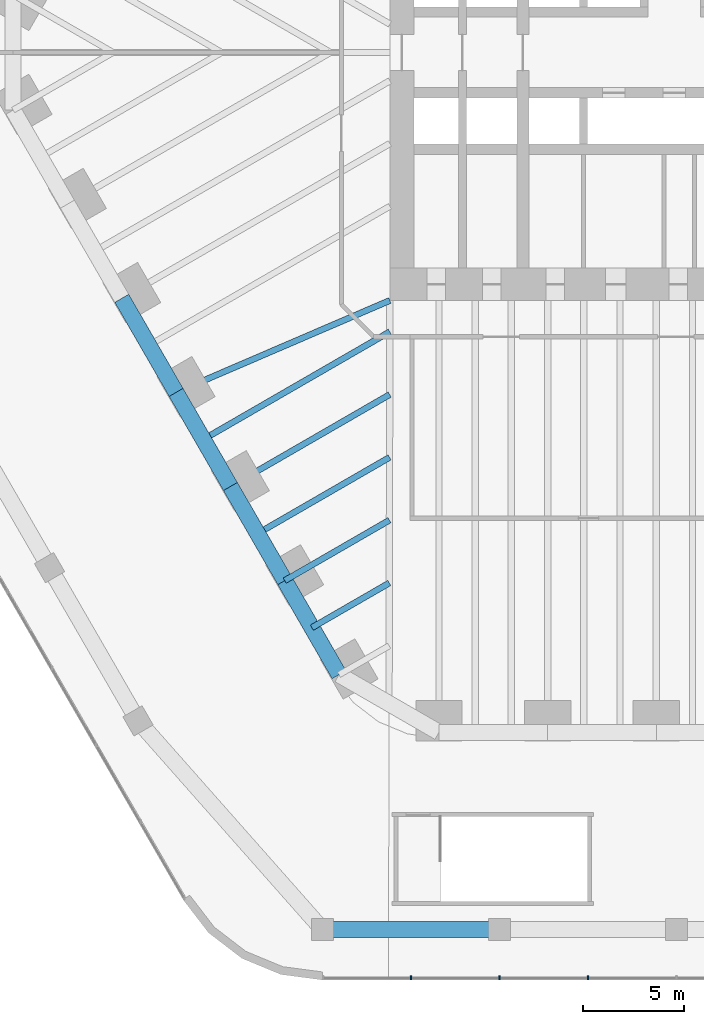
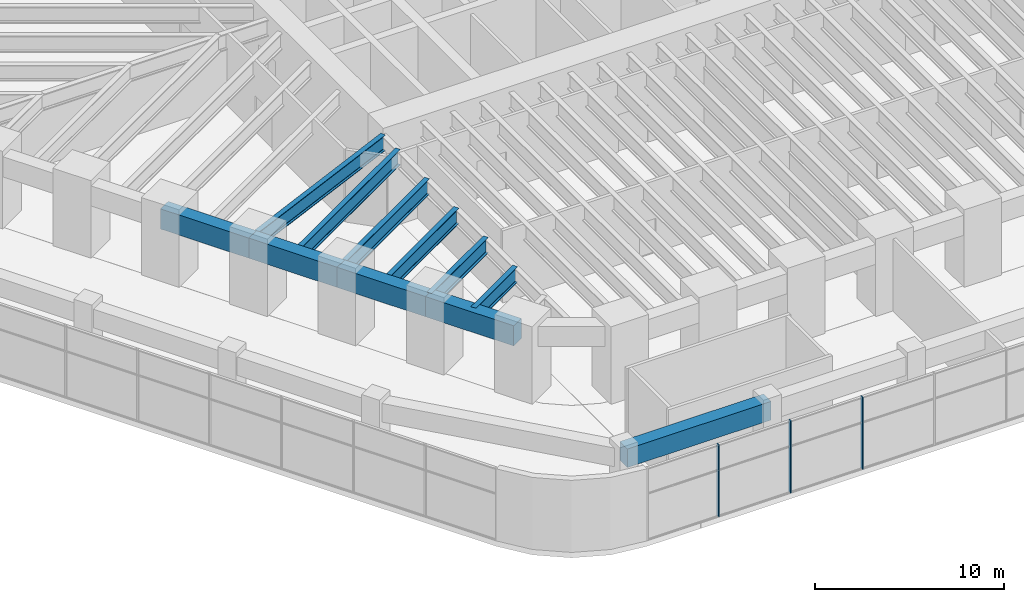
# One storey, part 4 of 31: 11 beams, 3 members, 1 element without a shape of its own.
"""IFC4 building model written with IfcOpenShell, lengths in metres."""

from ifc_helpers import new_model, si_unit, direction, frame, origin, origin_2d, place, context, subcontext, project, spatial, rectangle, i_section, extrude, material, material_profile, profile_set, type_object, element, aggregate, save


model = new_model("IFC4")

# Units and contexts
model_context = context("Model", 3, precision=1e-05, world=origin(), true_north=direction((0.0, 1.0)))
body_context = subcontext(model_context, "Body", "Model", "MODEL_VIEW")
ifc_project = project(units=[si_unit("LENGTHUNIT", "METRE"), si_unit("AREAUNIT", "SQUARE_METRE"), si_unit("VOLUMEUNIT", "CUBIC_METRE"), si_unit("PLANEANGLEUNIT", "RADIAN"), si_unit("MASSUNIT", "GRAM", prefix="KILO")], contexts=[model_context])

# Site, building, storey
site_placement = place(None, origin())
site = spatial("IfcSite", under=ifc_project, at=site_placement, CompositionType="ELEMENT")
building_placement = place(site_placement, origin())
building = spatial("IfcBuilding", under=site, at=building_placement, Name="Tarfa Lantern Tower", CompositionType="ELEMENT")
storey_placement = place(building_placement, frame((0.0, 0.0, 18.5)))
storey = spatial("IfcBuildingStorey", under=building, at=storey_placement, Name="L03", CompositionType="ELEMENT", Elevation=18.5)

# Curtain wall, members
ifc_material_1 = material(Name="Aluminium framed curtain wall", Category="aluminium")
curtain_wall_type = type_object("IfcCurtainWallType", Name="CW7 PODIUM GLAZING 4650", PredefinedType="USERDEFINED", material=ifc_material_1)
curtain_wall_placement = place(storey_placement, origin())
curtain_wall = element("IfcCurtainWall", 1, at=curtain_wall_placement, inside=storey, type_object=curtain_wall_type, Name="CW7 S L03", ObjectType="CURTAIN WALL", PredefinedType="USERDEFINED")
ifc_material_2 = material(Name="Aluminium mullion", Category="aluminium")
ifc_material_profile_1 = material_profile(ifc_material_2, rectangle(XDim=0.06494140625, YDim=0.199951171875, at=origin_2d()), Name="AL MULLION 65x200")
ifc_profile_set_1 = profile_set([ifc_material_profile_1], Name="Aluminium mullion")
member_type = type_object("IfcMemberType", Name="CWM1 MULLION 65x200", PredefinedType="MULLION", material=ifc_profile_set_1)
member_1_placement = place(storey_placement, frame((-17.551513671875, -45.89990234375, 0.0), z_axis=(0.0, 0.0, 1.0), x_axis=(1.0, 0.0, 0.0)))
member_1 = element("IfcMember", 2, at=member_1_placement, type_object=member_type, Name="CW7 mullion 2", PredefinedType="MULLION", context=body_context, shape_type="SweptSolid", body=[
    extrude(rectangle(XDim=0.06494140625, YDim=0.199951171875, at=origin_2d()), origin(), (0.0, 0.0, 1.0), 4.64990234375),
])
member_2_placement = place(storey_placement, frame((-13.16357421875, -45.89990234375, 0.0), z_axis=(0.0, 0.0, 1.0), x_axis=(1.0, 0.0, 0.0)))
member_2 = element("IfcMember", 3, at=member_2_placement, type_object=member_type, Name="CW7 mullion 3", PredefinedType="MULLION", context=body_context, shape_type="SweptSolid", body=[
    extrude(rectangle(XDim=0.06494140625, YDim=0.199951171875, at=origin_2d()), origin(), (0.0, 0.0, 1.0), 4.64990234375),
])
member_3_placement = place(storey_placement, frame((-8.775634765625, -45.89990234375, 0.0), z_axis=(0.0, 0.0, 1.0), x_axis=(1.0, 0.0, 0.0)))
member_3 = element("IfcMember", 4, at=member_3_placement, type_object=member_type, Name="CW7 mullion 4", PredefinedType="MULLION", context=body_context, shape_type="SweptSolid", body=[
    extrude(rectangle(XDim=0.06494140625, YDim=0.199951171875, at=origin_2d()), origin(), (0.0, 0.0, 1.0), 4.64990234375),
])
aggregate(curtain_wall, [member_1, member_2, member_3])

# Beams
ifc_material_3 = material(Name="Concrete C80/95", Category="concrete")
ifc_material_profile_2 = material_profile(ifc_material_3, rectangle(XDim=0.800048828125, YDim=1.300048828125, at=origin_2d()), Name="RC 800x1300")
ifc_profile_set_2 = profile_set([ifc_material_profile_2], Name="Concrete C80/95")
beam_type_1 = type_object("IfcBeamType", Name="EB1 RC 800x1300", PredefinedType="SPANDREL", material=ifc_profile_set_2)
beam_1_placement = place(storey_placement, frame((-31.896728515625, -12.193359375, 4.0), z_axis=(0.499998287579, -0.866026392449, 0.0), x_axis=(0.866026392449, 0.499998287579, 0.0)))
element("IfcBeam", 5, at=beam_1_placement, inside=storey, type_object=beam_type_1, Name="Edge beam SW2", PredefinedType="SPANDREL", context=body_context, shape_type="SweptSolid", body=[
    extrude(rectangle(XDim=0.800048828125, YDim=1.300048828125, at=origin_2d()), origin(), (0.0, 0.0, 1.0), 5.388671875),
])
beam_2_placement = place(storey_placement, frame((-29.202392578125, -16.860107421875, 4.0), z_axis=(0.500017906299, -0.866015065331, 0.0), x_axis=(0.866015065331, 0.500017906299, 0.0)))
element("IfcBeam", 6, at=beam_2_placement, inside=storey, type_object=beam_type_1, Name="Edge beam SW3", PredefinedType="SPANDREL", context=body_context, shape_type="SweptSolid", body=[
    extrude(rectangle(XDim=0.800048828125, YDim=1.300048828125, at=origin_2d()), origin(), (0.0, 0.0, 1.0), 5.388427734375),
])
for number, where, z_axis, x_axis, name in (
    (7, (-26.508056640625, -21.526611328125, 4.0), (0.499998287579, -0.866026392449, 0.0), (0.866026392449, 0.499998287579, 0.0), "Edge beam SW4"),
    (8, (-23.813720703125, -26.193359375, 4.0), (0.499998287579, -0.866026392449, 0.0), (0.866026392449, 0.499998287579, 0.0), "Edge beam SW5"),
):
    element("IfcBeam", number, at=place(storey_placement, frame(where, z_axis=z_axis, x_axis=x_axis)), inside=storey, type_object=beam_type_1, Name=name, PredefinedType="SPANDREL", context=body_context, shape_type="SweptSolid", body=[
        extrude(rectangle(XDim=0.800048828125, YDim=1.300048828125, at=origin_2d()), origin(), (0.0, 0.0, 1.0), 5.388671875),
    ])
ifc_material_profile_3 = material_profile(ifc_material_3, rectangle(XDim=0.800048828125, YDim=1.199951171875, at=origin_2d()), Name="RC 800x1200")
ifc_profile_set_3 = profile_set([ifc_material_profile_3], Name="Concrete C80/95")
beam_type_2 = type_object("IfcBeamType", Name="PB2 RC 800x1200", PredefinedType="BEAM", material=ifc_profile_set_3)
beam_3_placement = place(storey_placement, frame((-21.939208984375, -43.5, 4.050048828125), z_axis=(1.0, 0.0, 0.0), x_axis=(0.0, 1.0, 0.0)))
element("IfcBeam", 9, at=beam_3_placement, inside=storey, type_object=beam_type_2, Name="Podium ring beam S0", PredefinedType="BEAM", context=body_context, shape_type="SweptSolid", body=[
    extrude(rectangle(XDim=0.800048828125, YDim=1.199951171875, at=origin_2d()), origin(), (0.0, 0.0, 1.0), 8.775634765625),
])
ifc_material_4 = material(Name="Steel S460M", Category="steel")
ifc_material_profile_4 = material_profile(ifc_material_4, i_section(OverallWidth=0.302001953125, OverallDepth=1.008056640625, WebThickness=0.02099609375, FlangeThickness=0.0400390625, FilletRadius=0.030029296875, at=origin_2d()), Name="UB1016x305x349")
ifc_profile_set_4 = profile_set([ifc_material_profile_4], Name="Steel S460M")
beam_type_3 = type_object("IfcBeamType", Name="UB1016x305x349", PredefinedType="BEAM", material=ifc_profile_set_4)
beam_4_placement = place(storey_placement, frame((-29.202392578125, -16.860107421875, 4.14599609375), z_axis=(0.918635483867, 0.395106122175, 0.0), x_axis=(-0.395106122175, 0.918635483867, 0.0)))
element("IfcBeam", 10, at=beam_4_placement, inside=storey, type_object=beam_type_3, Name="Floor beam SW3", PredefinedType="BEAM", context=body_context, shape_type="SweptSolid", body=[
    extrude(i_section(OverallWidth=0.302001953125, OverallDepth=1.008056640625, WebThickness=0.02099609375, FlangeThickness=0.0400390625, FilletRadius=0.030029296875, at=origin_2d()), origin(), (0.0, 0.0, 1.0), 11.541259765625),
])
beam_5_placement = place(storey_placement, frame((-26.508056640625, -21.526611328125, 4.14599609375), z_axis=(0.866035355799, 0.49998276221, 0.0), x_axis=(-0.49998276221, 0.866035355799, 0.0)))
element("IfcBeam", 11, at=beam_5_placement, inside=storey, type_object=beam_type_3, Name="Floor beam SW4", PredefinedType="BEAM", context=body_context, shape_type="SweptSolid", body=[
    extrude(i_section(OverallWidth=0.302001953125, OverallDepth=1.008056640625, WebThickness=0.02099609375, FlangeThickness=0.0400390625, FilletRadius=0.030029296875, at=origin_2d()), origin(), (0.0, 0.0, 1.0), 9.119873046875),
])
beam_6_placement = place(storey_placement, frame((-23.813720703125, -26.193359375, 4.14599609375), z_axis=(0.866015997389, 0.500016292001, 0.0), x_axis=(-0.500016292001, 0.866015997389, 0.0)))
element("IfcBeam", 12, at=beam_6_placement, inside=storey, type_object=beam_type_3, Name="Floor beam SW5", PredefinedType="BEAM", context=body_context, shape_type="SweptSolid", body=[
    extrude(i_section(OverallWidth=0.302001953125, OverallDepth=1.008056640625, WebThickness=0.02099609375, FlangeThickness=0.0400390625, FilletRadius=0.030029296875, at=origin_2d()), origin(), (0.0, 0.0, 1.0), 5.993408203125),
])
beam_7_placement = place(storey_placement, frame((-27.855224609375, -19.193359375, 4.14599609375), z_axis=(0.866028034017, 0.499995444275, 0.0), x_axis=(-0.499995444275, 0.866028034017, 0.0)))
element("IfcBeam", 13, at=beam_7_placement, inside=storey, type_object=beam_type_3, Name="Floor beam SW3M", PredefinedType="BEAM", context=body_context, shape_type="SweptSolid", body=[
    extrude(i_section(OverallWidth=0.302001953125, OverallDepth=1.008056640625, WebThickness=0.02099609375, FlangeThickness=0.0400390625, FilletRadius=0.030029296875, at=origin_2d()), origin(), (0.0, 0.0, 1.0), 10.68310546875),
])
beam_8_placement = place(storey_placement, frame((-25.160888671875, -23.860107421875, 4.14599609375), z_axis=(0.866009650502, 0.500027284493, 0.0), x_axis=(-0.500027284493, 0.866009650502, 0.0)))
element("IfcBeam", 14, at=beam_8_placement, inside=storey, type_object=beam_type_3, Name="Floor beam SW4M", PredefinedType="BEAM", context=body_context, shape_type="SweptSolid", body=[
    extrude(i_section(OverallWidth=0.302001953125, OverallDepth=1.008056640625, WebThickness=0.02099609375, FlangeThickness=0.0400390625, FilletRadius=0.030029296875, at=origin_2d()), origin(), (0.0, 0.0, 1.0), 7.556640625),
])
beam_9_placement = place(storey_placement, frame((-22.466552734375, -28.526611328125, 4.14599609375), z_axis=(0.866026823135, 0.499997541604, 0.0), x_axis=(-0.499997541604, 0.866026823135, 0.0)))
element("IfcBeam", 15, at=beam_9_placement, inside=storey, type_object=beam_type_3, Name="Floor beam SW5M", PredefinedType="BEAM", context=body_context, shape_type="SweptSolid", body=[
    extrude(i_section(OverallWidth=0.302001953125, OverallDepth=1.008056640625, WebThickness=0.02099609375, FlangeThickness=0.0400390625, FilletRadius=0.030029296875, at=origin_2d()), origin(), (0.0, 0.0, 1.0), 4.43017578125),
])

save(model, "model.ifc")
